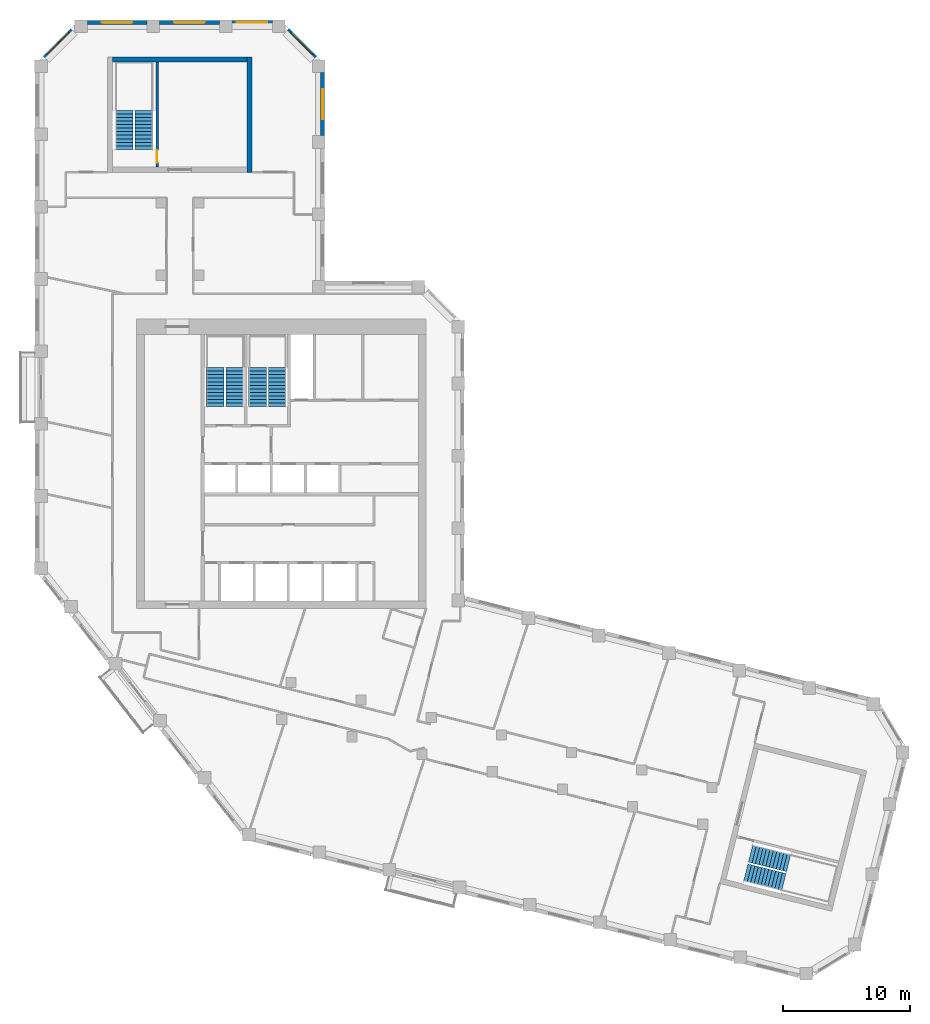
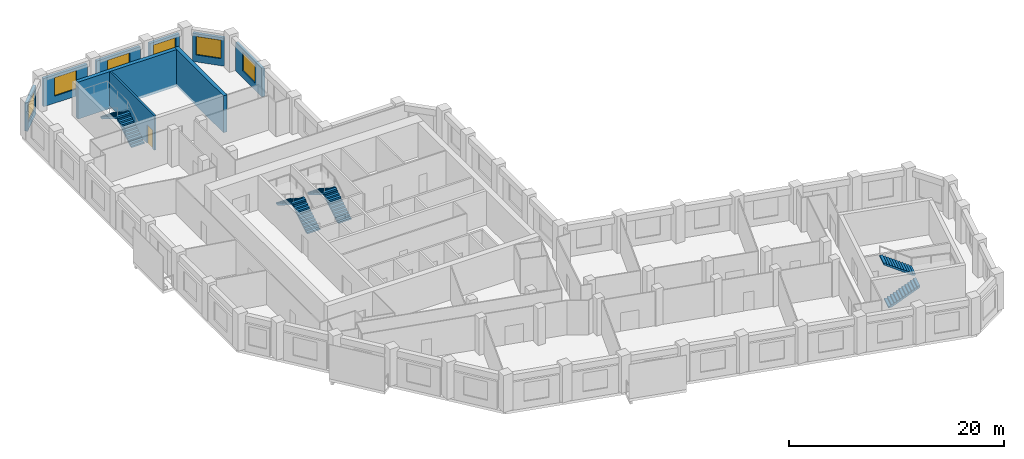
# One storey, part 8 of 9: 9 walls, 8 stair flights, 6 windows, 1 door, 7 openings, 4 elements without a shape of their own.
"""IFC4 building model written with IfcOpenShell, lengths in metres."""

from ifc_helpers import new_model, si_unit, direction, frame, frame_2d, origin, place, context, subcontext, project, spatial, polyline, rectangle, outline, extrude, material, layer, layer_set, type_object, element, fill, aggregate, save


model = new_model("IFC4")

# Units and contexts
model_context = context("Model", 3, precision=1e-05, world=origin(), true_north=direction((0.0, 1.0)))
body_context = subcontext(model_context, "Body", "Model", "MODEL_VIEW")
ifc_project = project(units=[si_unit("LENGTHUNIT", "METRE"), si_unit("AREAUNIT", "SQUARE_METRE"), si_unit("VOLUMEUNIT", "CUBIC_METRE"), si_unit("PLANEANGLEUNIT", "RADIAN"), si_unit("MASSUNIT", "GRAM", prefix="KILO")], contexts=[model_context])

# Site, building, storey
site_placement = place(None, origin())
site = spatial("IfcSite", under=ifc_project, at=site_placement, CompositionType="ELEMENT")
building_placement = place(site_placement, origin())
building = spatial("IfcBuilding", under=site, at=building_placement, Name="Meshkara Civic Tower", CompositionType="ELEMENT")
storey_placement = place(building_placement, frame((0.0, 0.0, 336.0)))
storey = spatial("IfcBuildingStorey", under=building, at=storey_placement, Name="L77", CompositionType="ELEMENT", Elevation=336.0)

# Wall, opening, window
ifc_material_1 = material(Name="Insulated infill panel with bronze anodised aluminium cladding", Category="aluminium")
ifc_layer_1 = layer(ifc_material_1, 0.300048828125)
ifc_layer_set_1 = layer_set([ifc_layer_1], Name="EXTERNAL INFILL WALL 300")
wall_type_1 = type_object("IfcWallType", Name="EXTERNAL INFILL WALL 300", PredefinedType="SOLIDWALL", material=ifc_layer_set_1)
wall_1_placement = place(storey_placement, frame((22.64990234375, 51.35009765625, 0.0), z_axis=(0.0, 0.0, 1.0), x_axis=(0.0, 1.0, 0.0)))
wall_1 = element("IfcWall", 1, at=wall_1_placement, inside=storey, type_object=wall_type_1, Name="External wall", PredefinedType="SOLIDWALL", context=body_context, shape_type="SweptSolid", body=[
    extrude(rectangle(XDim=4.9638671875, YDim=0.300048828125, at=frame_2d((2.48193359375, 0.0))), origin(), (0.0, 0.0, 1.0), 3.199951171875),
])
opening_1_placement = place(wall_1_placement, frame((1.281982421875, 0.0, 0.800048828125)))
opening_1 = element("IfcOpeningElement", 2, at=opening_1_placement, cuts=wall_1, Name="Opening W7", PredefinedType="OPENING", context=body_context, shape_type="SweptSolid", body=[
    extrude(rectangle(XDim=2.39990234375, YDim=2.10009765625, at=frame_2d((1.199951171875, 1.050048828125))), frame((0.0, 0.159912109375, 0.0), z_axis=(0.0, -1.0, 0.0), x_axis=(1.0, 0.0, 0.0)), (0.0, 0.0, 1.0), 0.320068359375),
])
ifc_material_2 = material(Name="Tinted double glazing", Category="glass")
window_type = type_object("IfcWindowType", Name="WINDOW 2400x2100", PartitioningType="DOUBLE_PANEL_VERTICAL", PredefinedType="WINDOW", material=ifc_material_2)
window_1_placement = place(opening_1_placement, origin())
window_1 = element("IfcWindow", 3, at=window_1_placement, inside=storey, type_object=window_type, Name="Window", OverallHeight=2.10009765625, OverallWidth=2.39990234375, PartitioningType="DOUBLE_PANEL_VERTICAL", PredefinedType="WINDOW", context=body_context, shape_type="SweptSolid", body=[
    extrude(rectangle(XDim=2.39990234375, YDim=2.10009765625, at=frame_2d((1.199951171875, 1.050048828125))), frame((0.0, 0.030029296875, 0.0), z_axis=(0.0, -1.0, 0.0), x_axis=(1.0, 0.0, 0.0)), (0.0, 0.0, 1.0), 0.06005859375),
])
fill(opening_1, window_1)

wall_2_placement = place(storey_placement, frame((22.06201171875, 57.52587890625, 0.0), z_axis=(0.0, 0.0, 1.0), x_axis=(-0.707106781187, 0.707106781187, 0.0)))
wall_2 = element("IfcWall", 4, at=wall_2_placement, inside=storey, type_object=wall_type_1, Name="External wall", PredefinedType="SOLIDWALL", context=body_context, shape_type="SweptSolid", body=[
    extrude(rectangle(XDim=3.049072265625, YDim=0.300048828125, at=frame_2d((1.5244140625, 0.0))), origin(), (0.0, 0.0, 1.0), 3.199951171875),
])
opening_2_placement = place(wall_2_placement, frame((0.324951171875, 0.0, 0.800048828125)))
opening_2 = element("IfcOpeningElement", 5, at=opening_2_placement, cuts=wall_2, Name="Opening W7", PredefinedType="OPENING", context=body_context, shape_type="SweptSolid", body=[
    extrude(rectangle(XDim=2.39990234375, YDim=2.10009765625, at=frame_2d((1.199951171875, 1.050048828125))), frame((0.0, 0.159912109375, 0.0), z_axis=(0.0, -1.0, 0.0), x_axis=(1.0, 0.0, 0.0)), (0.0, 0.0, 1.0), 0.320068359375),
])
window_2_placement = place(opening_2_placement, origin())
window_2 = element("IfcWindow", 6, at=window_2_placement, inside=storey, type_object=window_type, Name="Window", OverallHeight=2.10009765625, OverallWidth=2.39990234375, PartitioningType="DOUBLE_PANEL_VERTICAL", PredefinedType="WINDOW", context=body_context, shape_type="SweptSolid", body=[
    extrude(rectangle(XDim=2.39990234375, YDim=2.10009765625, at=frame_2d((1.199951171875, 1.050048828125))), frame((0.0, 0.030029296875, 0.0), z_axis=(0.0, -1.0, 0.0), x_axis=(1.0, 0.0, 0.0)), (0.0, 0.0, 1.0), 0.06005859375),
])
fill(opening_2, window_2)

wall_3_placement = place(storey_placement, frame((18.694091796875, 60.27001953125, 0.0), z_axis=(0.0, 0.0, 1.0), x_axis=(-1.0, 0.0, 0.0)))
wall_3 = element("IfcWall", 7, at=wall_3_placement, inside=storey, type_object=wall_type_1, Name="External wall", PredefinedType="SOLIDWALL", context=body_context, shape_type="SweptSolid", body=[
    extrude(rectangle(XDim=3.18798828125, YDim=0.300048828125, at=frame_2d((1.593994140625, 0.0))), origin(), (0.0, 0.0, 1.0), 3.199951171875),
])
opening_3_placement = place(wall_3_placement, frame((0.39404296875, 0.0, 0.800048828125)))
opening_3 = element("IfcOpeningElement", 8, at=opening_3_placement, cuts=wall_3, Name="Opening W7", PredefinedType="OPENING", context=body_context, shape_type="SweptSolid", body=[
    extrude(rectangle(XDim=2.39990234375, YDim=2.10009765625, at=frame_2d((1.199951171875, 1.050048828125))), frame((0.0, 0.159912109375, 0.0), z_axis=(0.0, -1.0, 0.0), x_axis=(1.0, 0.0, 0.0)), (0.0, 0.0, 1.0), 0.320068359375),
])
window_3_placement = place(opening_3_placement, origin())
window_3 = element("IfcWindow", 9, at=window_3_placement, inside=storey, type_object=window_type, Name="Window", OverallHeight=2.10009765625, OverallWidth=2.39990234375, PartitioningType="DOUBLE_PANEL_VERTICAL", PredefinedType="WINDOW", context=body_context, shape_type="SweptSolid", body=[
    extrude(rectangle(XDim=2.39990234375, YDim=2.10009765625, at=frame_2d((1.199951171875, 1.050048828125))), frame((0.0, 0.030029296875, 0.0), z_axis=(0.0, -1.0, 0.0), x_axis=(1.0, 0.0, 0.0)), (0.0, 0.0, 1.0), 0.06005859375),
])
fill(opening_3, window_3)

wall_4_placement = place(storey_placement, frame((14.506103515625, 60.27001953125, 0.0), z_axis=(0.0, 0.0, 1.0), x_axis=(-1.0, 0.0, 0.0)))
wall_4 = element("IfcWall", 10, at=wall_4_placement, inside=storey, type_object=wall_type_1, Name="External wall", PredefinedType="SOLIDWALL", context=body_context, shape_type="SweptSolid", body=[
    extrude(rectangle(XDim=4.7001953125, YDim=0.300048828125, at=frame_2d((2.35009765625, 0.0))), origin(), (0.0, 0.0, 1.0), 3.199951171875),
])
opening_4_placement = place(wall_4_placement, frame((1.14990234375, 0.0, 0.800048828125)))
opening_4 = element("IfcOpeningElement", 11, at=opening_4_placement, cuts=wall_4, Name="Opening W7", PredefinedType="OPENING", context=body_context, shape_type="SweptSolid", body=[
    extrude(rectangle(XDim=2.39990234375, YDim=2.10009765625, at=frame_2d((1.199951171875, 1.050048828125))), frame((0.0, 0.159912109375, 0.0), z_axis=(0.0, -1.0, 0.0), x_axis=(1.0, 0.0, 0.0)), (0.0, 0.0, 1.0), 0.320068359375),
])
window_4_placement = place(opening_4_placement, origin())
window_4 = element("IfcWindow", 12, at=window_4_placement, inside=storey, type_object=window_type, Name="Window", OverallHeight=2.10009765625, OverallWidth=2.39990234375, PartitioningType="DOUBLE_PANEL_VERTICAL", PredefinedType="WINDOW", context=body_context, shape_type="SweptSolid", body=[
    extrude(rectangle(XDim=2.39990234375, YDim=2.10009765625, at=frame_2d((1.199951171875, 1.050048828125))), frame((0.0, 0.030029296875, 0.0), z_axis=(0.0, -1.0, 0.0), x_axis=(1.0, 0.0, 0.0)), (0.0, 0.0, 1.0), 0.06005859375),
])
fill(opening_4, window_4)

wall_5_placement = place(storey_placement, frame((8.805908203125, 60.27001953125, 0.0), z_axis=(0.0, 0.0, 1.0), x_axis=(-1.0, 0.0, 0.0)))
wall_5 = element("IfcWall", 13, at=wall_5_placement, inside=storey, type_object=wall_type_1, Name="External wall", PredefinedType="SOLIDWALL", context=body_context, shape_type="SweptSolid", body=[
    extrude(rectangle(XDim=4.699951171875, YDim=0.300048828125, at=frame_2d((2.35009765625, 0.0))), origin(), (0.0, 0.0, 1.0), 3.199951171875),
])
opening_5_placement = place(wall_5_placement, frame((1.14990234375, 0.0, 0.800048828125)))
opening_5 = element("IfcOpeningElement", 14, at=opening_5_placement, cuts=wall_5, Name="Opening W7", PredefinedType="OPENING", context=body_context, shape_type="SweptSolid", body=[
    extrude(rectangle(XDim=2.39990234375, YDim=2.10009765625, at=frame_2d((1.199951171875, 1.050048828125))), frame((0.0, 0.159912109375, 0.0), z_axis=(0.0, -1.0, 0.0), x_axis=(1.0, 0.0, 0.0)), (0.0, 0.0, 1.0), 0.320068359375),
])
window_5_placement = place(opening_5_placement, origin())
window_5 = element("IfcWindow", 15, at=window_5_placement, inside=storey, type_object=window_type, Name="Window", OverallHeight=2.10009765625, OverallWidth=2.39990234375, PartitioningType="DOUBLE_PANEL_VERTICAL", PredefinedType="WINDOW", context=body_context, shape_type="SweptSolid", body=[
    extrude(rectangle(XDim=2.39990234375, YDim=2.10009765625, at=frame_2d((1.199951171875, 1.050048828125))), frame((0.0, 0.030029296875, 0.0), z_axis=(0.0, -1.0, 0.0), x_axis=(1.0, 0.0, 0.0)), (0.0, 0.0, 1.0), 0.06005859375),
])
fill(opening_5, window_5)

wall_6_placement = place(storey_placement, frame((2.89404296875, 59.681884765625, 0.0), z_axis=(0.0, 0.0, 1.0), x_axis=(-0.707106781187, -0.707106781187, 0.0)))
wall_6 = element("IfcWall", 16, at=wall_6_placement, inside=storey, type_object=wall_type_1, Name="External wall", PredefinedType="SOLIDWALL", context=body_context, shape_type="SweptSolid", body=[
    extrude(rectangle(XDim=3.049072265625, YDim=0.300048828125, at=frame_2d((1.5244140625, 0.0))), origin(), (0.0, 0.0, 1.0), 3.199951171875),
])
opening_6_placement = place(wall_6_placement, frame((0.324951171875, 0.0, 0.800048828125)))
opening_6 = element("IfcOpeningElement", 17, at=opening_6_placement, cuts=wall_6, Name="Opening W7", PredefinedType="OPENING", context=body_context, shape_type="SweptSolid", body=[
    extrude(rectangle(XDim=2.39990234375, YDim=2.10009765625, at=frame_2d((1.199951171875, 1.050048828125))), frame((0.0, 0.159912109375, 0.0), z_axis=(0.0, -1.0, 0.0), x_axis=(1.0, 0.0, 0.0)), (0.0, 0.0, 1.0), 0.320068359375),
])
window_6_placement = place(opening_6_placement, origin())
window_6 = element("IfcWindow", 18, at=window_6_placement, inside=storey, type_object=window_type, Name="Window", OverallHeight=2.10009765625, OverallWidth=2.39990234375, PartitioningType="DOUBLE_PANEL_VERTICAL", PredefinedType="WINDOW", context=body_context, shape_type="SweptSolid", body=[
    extrude(rectangle(XDim=2.39990234375, YDim=2.10009765625, at=frame_2d((1.199951171875, 1.050048828125))), frame((0.0, 0.030029296875, 0.0), z_axis=(0.0, -1.0, 0.0), x_axis=(1.0, 0.0, 0.0)), (0.0, 0.0, 1.0), 0.06005859375),
])
fill(opening_6, window_6)

# Walls
ifc_material_3 = material(Name="Concrete C60", Category="concrete")
ifc_layer_2 = layer(ifc_material_3, 0.39990234375)
ifc_layer_set_2 = layer_set([ifc_layer_2], Name="End core ring wall 400 C60")
wall_type_2 = type_object("IfcWallType", Name="End core ring wall 400 C60", PredefinedType="SHEAR", material=ifc_layer_set_2)
wall_7_placement = place(storey_placement, frame((16.89990234375, 48.469970703125, -0.300048828125), z_axis=(0.0, 0.0, 1.0), x_axis=(0.0, 1.0, 0.0)))
element("IfcWall", 19, at=wall_7_placement, inside=storey, type_object=wall_type_2, Name="L77-C028", PredefinedType="SHEAR", context=body_context, shape_type="SweptSolid", body=[
    extrude(rectangle(XDim=9.10009765625, YDim=0.39990234375, at=frame_2d((4.550048828125, 0.0))), origin(), (0.0, 0.0, 1.0), 4.199951171875),
])
wall_8_placement = place(storey_placement, frame((6.10009765625, 57.3701171875, -0.300048828125), z_axis=(0.0, 0.0, 1.0), x_axis=(1.0, 0.0, 0.0)))
element("IfcWall", 20, at=wall_8_placement, inside=storey, type_object=wall_type_2, Name="L77-C030", PredefinedType="SHEAR", context=body_context, shape_type="SweptSolid", body=[
    extrude(rectangle(XDim=10.599853515625, YDim=0.39990234375, at=frame_2d((5.2998046875, 0.0))), origin(), (0.0, 0.0, 1.0), 4.199951171875),
])

# Wall, opening, door
ifc_material_4 = material(Name="Concrete C40/50", Category="concrete")
ifc_layer_3 = layer(ifc_material_4, 0.199951171875)
ifc_layer_set_3 = layer_set([ifc_layer_3], Name="Stair enclosure wall 200 C40/50")
wall_type_3 = type_object("IfcWallType", Name="Stair enclosure wall 200 C40/50", PredefinedType="SOLIDWALL", material=ifc_layer_set_3)
wall_9_placement = place(storey_placement, frame((9.60009765625, 48.8701171875, 0.0), z_axis=(0.0, 0.0, 1.0), x_axis=(0.0, 1.0, 0.0)))
wall_9 = element("IfcWall", 21, at=wall_9_placement, inside=storey, type_object=wall_type_3, Name="L77-C031", PredefinedType="SOLIDWALL", context=body_context, shape_type="SweptSolid", body=[
    extrude(rectangle(XDim=8.2998046875, YDim=0.199951171875, at=frame_2d((4.14990234375, 0.0))), origin(), (0.0, 0.0, 1.0), 3.89990234375),
])
opening_7_placement = place(wall_9_placement, frame((0.35009765625, 0.0, 0.0)))
opening_7 = element("IfcOpeningElement", 22, at=opening_7_placement, cuts=wall_9, Name="Opening L77-K101", PredefinedType="OPENING", context=body_context, shape_type="SweptSolid", body=[
    extrude(rectangle(XDim=1.0, YDim=2.10009765625, at=frame_2d((0.5, 1.050048828125))), frame((0.0, 0.10986328125, 0.0), z_axis=(0.0, -1.0, 0.0), x_axis=(1.0, 0.0, 0.0)), (0.0, 0.0, 1.0), 0.219970703125),
])
ifc_material_5 = material(Name="Fire-rated door leaf in steel frame", Category="steel")
door_type = type_object("IfcDoorType", Name="Stair door 1000 EI 120", OperationType="SINGLE_SWING_LEFT", PredefinedType="DOOR", material=ifc_material_5)
door_placement = place(opening_7_placement, origin())
door = element("IfcDoor", 23, at=door_placement, inside=storey, type_object=door_type, Name="L77-K101", OperationType="SINGLE_SWING_RIGHT", OverallHeight=2.10009765625, OverallWidth=1.0, PredefinedType="DOOR", context=body_context, shape_type="SweptSolid", body=[
    extrude(rectangle(XDim=1.0, YDim=2.10009765625, at=frame_2d((0.5, 1.050048828125))), frame((0.0, 0.02490234375, 0.0), z_axis=(0.0, -1.0, 0.0), x_axis=(1.0, 0.0, 0.0)), (0.0, 0.0, 1.0), 0.050048828125),
])
fill(opening_7, door)

# Stair, stair flights
ifc_material_6 = material(Name="Precast concrete C40/50", Category="concrete")
stair_type = type_object("IfcStairType", Name="Exit stair half-turn 24 risers precast", PredefinedType="HALF_TURN_STAIR", material=ifc_material_6)
stair_1_placement = place(storey_placement, origin())
stair_1 = element("IfcStair", 24, at=stair_1_placement, inside=storey, type_object=stair_type, Name="L77 exit stair 1", PredefinedType="HALF_TURN_STAIR")
ifc_material_7 = material(Name="Precast concrete C40/50", Category="concrete")
stair_flight_type = type_object("IfcStairFlightType", Name="Exit stair flight 12 risers precast", PredefinedType="STRAIGHT", material=ifc_material_7)
stair_flight_1_placement = place(storey_placement, frame((15.72509765625, 30.0, 0.0), z_axis=(0.0, 0.0, 1.0), x_axis=(0.0, 1.0, 0.0)))
stair_flight_1 = element("IfcStairFlight", 25, at=stair_flight_1_placement, type_object=stair_flight_type, Name="ST1 flight 1", NumberOfRisers=12, NumberOfTreads=11, PredefinedType="STRAIGHT", RiserHeight=0.175, TreadLength=0.28, context=body_context, shape_type="SweptSolid", body=[
    extrude(outline(polyline([(0.0, 0.0), (0.0, 0.175048828125), (0.280029296875, 0.175048828125), (0.280029296875, 0.35009765625), (0.56005859375, 0.35009765625), (0.56005859375, 0.52490234375), (0.840087890625, 0.52490234375), (0.840087890625, 0.699951171875), (1.1201171875, 0.699951171875), (1.1201171875, 0.875), (1.39990234375, 0.875), (1.39990234375, 1.050048828125), (1.679931640625, 1.050048828125), (1.679931640625, 1.22509765625), (1.9599609375, 1.22509765625), (1.9599609375, 1.39990234375), (2.239990234375, 1.39990234375), (2.239990234375, 1.574951171875), (2.52001953125, 1.574951171875), (2.52001953125, 1.75), (2.800048828125, 1.75), (2.800048828125, 1.925048828125), (3.080078125, 1.925048828125), (3.080078125, 2.10009765625), (3.080078125, 1.748291015625), (0.28271484375, 0.0), (0.0, 0.0)])), frame((0.0, 0.699951171875, 0.0), z_axis=(0.0, -1.0, 0.0), x_axis=(1.0, 0.0, 0.0)), (0.0, 0.0, 1.0), 1.39990234375),
])
stair_flight_2_placement = place(storey_placement, frame((14.175048828125, 33.080078125, 2.10009765625), z_axis=(0.0, 0.0, 1.0), x_axis=(0.0, -1.0, 0.0)))
stair_flight_2 = element("IfcStairFlight", 26, at=stair_flight_2_placement, type_object=stair_flight_type, Name="ST1 flight 2", NumberOfRisers=12, NumberOfTreads=11, PredefinedType="STRAIGHT", RiserHeight=0.175, TreadLength=0.28, context=body_context, shape_type="SweptSolid", body=[
    extrude(outline(polyline([(0.0, 0.0), (0.0, 0.175048828125), (0.280029296875, 0.175048828125), (0.280029296875, 0.35009765625), (0.56005859375, 0.35009765625), (0.56005859375, 0.52490234375), (0.840087890625, 0.52490234375), (0.840087890625, 0.699951171875), (1.1201171875, 0.699951171875), (1.1201171875, 0.875), (1.39990234375, 0.875), (1.39990234375, 1.050048828125), (1.679931640625, 1.050048828125), (1.679931640625, 1.22509765625), (1.9599609375, 1.22509765625), (1.9599609375, 1.39990234375), (2.239990234375, 1.39990234375), (2.239990234375, 1.574951171875), (2.52001953125, 1.574951171875), (2.52001953125, 1.75), (2.800048828125, 1.75), (2.800048828125, 1.925048828125), (3.080078125, 1.925048828125), (3.080078125, 2.10009765625), (3.080078125, 1.748291015625), (0.28271484375, 0.0), (0.0, 0.0)])), frame((0.0, 0.699951171875, 0.0), z_axis=(0.0, -1.0, 0.0), x_axis=(1.0, 0.0, 0.0)), (0.0, 0.0, 1.0), 1.39990234375),
])
aggregate(stair_1, [stair_flight_1, stair_flight_2])

stair_2_placement = place(storey_placement, origin())
stair_2 = element("IfcStair", 27, at=stair_2_placement, inside=storey, type_object=stair_type, Name="L77 exit stair 2", PredefinedType="HALF_TURN_STAIR")
stair_flight_3_placement = place(storey_placement, frame((19.074951171875, 30.0, 0.0), z_axis=(0.0, 0.0, 1.0), x_axis=(0.0, 1.0, 0.0)))
stair_flight_3 = element("IfcStairFlight", 28, at=stair_flight_3_placement, type_object=stair_flight_type, Name="ST2 flight 1", NumberOfRisers=12, NumberOfTreads=11, PredefinedType="STRAIGHT", RiserHeight=0.175, TreadLength=0.28, context=body_context, shape_type="SweptSolid", body=[
    extrude(outline(polyline([(0.0, 0.0), (0.0, 0.175048828125), (0.280029296875, 0.175048828125), (0.280029296875, 0.35009765625), (0.56005859375, 0.35009765625), (0.56005859375, 0.52490234375), (0.840087890625, 0.52490234375), (0.840087890625, 0.699951171875), (1.1201171875, 0.699951171875), (1.1201171875, 0.875), (1.39990234375, 0.875), (1.39990234375, 1.050048828125), (1.679931640625, 1.050048828125), (1.679931640625, 1.22509765625), (1.9599609375, 1.22509765625), (1.9599609375, 1.39990234375), (2.239990234375, 1.39990234375), (2.239990234375, 1.574951171875), (2.52001953125, 1.574951171875), (2.52001953125, 1.75), (2.800048828125, 1.75), (2.800048828125, 1.925048828125), (3.080078125, 1.925048828125), (3.080078125, 2.10009765625), (3.080078125, 1.748291015625), (0.28271484375, 0.0), (0.0, 0.0)])), frame((0.0, 0.699951171875, 0.0), z_axis=(0.0, -1.0, 0.0), x_axis=(1.0, 0.0, 0.0)), (0.0, 0.0, 1.0), 1.39990234375),
])
stair_flight_4_placement = place(storey_placement, frame((17.52490234375, 33.080078125, 2.10009765625), z_axis=(0.0, 0.0, 1.0), x_axis=(0.0, -1.0, 0.0)))
stair_flight_4 = element("IfcStairFlight", 29, at=stair_flight_4_placement, type_object=stair_flight_type, Name="ST2 flight 2", NumberOfRisers=12, NumberOfTreads=11, PredefinedType="STRAIGHT", RiserHeight=0.175, TreadLength=0.28, context=body_context, shape_type="SweptSolid", body=[
    extrude(outline(polyline([(0.0, 0.0), (0.0, 0.175048828125), (0.280029296875, 0.175048828125), (0.280029296875, 0.35009765625), (0.56005859375, 0.35009765625), (0.56005859375, 0.52490234375), (0.840087890625, 0.52490234375), (0.840087890625, 0.699951171875), (1.1201171875, 0.699951171875), (1.1201171875, 0.875), (1.39990234375, 0.875), (1.39990234375, 1.050048828125), (1.679931640625, 1.050048828125), (1.679931640625, 1.22509765625), (1.9599609375, 1.22509765625), (1.9599609375, 1.39990234375), (2.239990234375, 1.39990234375), (2.239990234375, 1.574951171875), (2.52001953125, 1.574951171875), (2.52001953125, 1.75), (2.800048828125, 1.75), (2.800048828125, 1.925048828125), (3.080078125, 1.925048828125), (3.080078125, 2.10009765625), (3.080078125, 1.748291015625), (0.28271484375, 0.0), (0.0, 0.0)])), frame((0.0, 0.699951171875, 0.0), z_axis=(0.0, -1.0, 0.0), x_axis=(1.0, 0.0, 0.0)), (0.0, 0.0, 1.0), 1.39990234375),
])
aggregate(stair_2, [stair_flight_3, stair_flight_4])

stair_3_placement = place(storey_placement, origin())
stair_3 = element("IfcStair", 30, at=stair_3_placement, inside=storey, type_object=stair_type, Name="L77 exit stair A from L65", PredefinedType="HALF_TURN_STAIR")
stair_flight_5_placement = place(storey_placement, frame((8.574951171875, 50.27001953125, 0.0), z_axis=(0.0, 0.0, 1.0), x_axis=(0.0, 1.0, 0.0)))
stair_flight_5 = element("IfcStairFlight", 31, at=stair_flight_5_placement, type_object=stair_flight_type, Name="ESA5 flight 1", NumberOfRisers=12, NumberOfTreads=11, PredefinedType="STRAIGHT", RiserHeight=0.175, TreadLength=0.28, context=body_context, shape_type="SweptSolid", body=[
    extrude(outline(polyline([(0.0, 0.0), (0.0, 0.175048828125), (0.280029296875, 0.175048828125), (0.280029296875, 0.35009765625), (0.56005859375, 0.35009765625), (0.56005859375, 0.52490234375), (0.840087890625, 0.52490234375), (0.840087890625, 0.699951171875), (1.1201171875, 0.699951171875), (1.1201171875, 0.875), (1.39990234375, 0.875), (1.39990234375, 1.050048828125), (1.679931640625, 1.050048828125), (1.679931640625, 1.22509765625), (1.9599609375, 1.22509765625), (1.9599609375, 1.39990234375), (2.239990234375, 1.39990234375), (2.239990234375, 1.574951171875), (2.52001953125, 1.574951171875), (2.52001953125, 1.75), (2.800048828125, 1.75), (2.800048828125, 1.925048828125), (3.080078125, 1.925048828125), (3.080078125, 2.10009765625), (3.080078125, 1.748291015625), (0.28271484375, 0.0), (0.0, 0.0)])), frame((0.0, 0.699951171875, 0.0), z_axis=(0.0, -1.0, 0.0), x_axis=(1.0, 0.0, 0.0)), (0.0, 0.0, 1.0), 1.39990234375),
])
stair_flight_6_placement = place(storey_placement, frame((7.02490234375, 53.35009765625, 2.10009765625), z_axis=(0.0, 0.0, 1.0), x_axis=(0.0, -1.0, 0.0)))
stair_flight_6 = element("IfcStairFlight", 32, at=stair_flight_6_placement, type_object=stair_flight_type, Name="ESA5 flight 2", NumberOfRisers=12, NumberOfTreads=11, PredefinedType="STRAIGHT", RiserHeight=0.175, TreadLength=0.28, context=body_context, shape_type="SweptSolid", body=[
    extrude(outline(polyline([(0.0, 0.0), (0.0, 0.175048828125), (0.280029296875, 0.175048828125), (0.280029296875, 0.35009765625), (0.56005859375, 0.35009765625), (0.56005859375, 0.52490234375), (0.840087890625, 0.52490234375), (0.840087890625, 0.699951171875), (1.1201171875, 0.699951171875), (1.1201171875, 0.875), (1.39990234375, 0.875), (1.39990234375, 1.050048828125), (1.679931640625, 1.050048828125), (1.679931640625, 1.22509765625), (1.9599609375, 1.22509765625), (1.9599609375, 1.39990234375), (2.239990234375, 1.39990234375), (2.239990234375, 1.574951171875), (2.52001953125, 1.574951171875), (2.52001953125, 1.75), (2.800048828125, 1.75), (2.800048828125, 1.925048828125), (3.080078125, 1.925048828125), (3.080078125, 2.10009765625), (3.080078125, 1.748291015625), (0.28271484375, 0.0), (0.0, 0.0)])), frame((0.0, 0.699951171875, 0.0), z_axis=(0.0, -1.0, 0.0), x_axis=(1.0, 0.0, 0.0)), (0.0, 0.0, 1.0), 1.39990234375),
])
aggregate(stair_3, [stair_flight_5, stair_flight_6])

stair_4_placement = place(storey_placement, origin())
stair_4 = element("IfcStair", 33, at=stair_4_placement, inside=storey, type_object=stair_type, Name="L77 exit stair B from L65", PredefinedType="HALF_TURN_STAIR")
stair_flight_7_placement = place(storey_placement, frame((56.0068359375, -6.723876953125, 0.0), z_axis=(0.0, 0.0, 1.0), x_axis=(0.970260066579, -0.242064873955, 0.0)))
stair_flight_7 = element("IfcStairFlight", 34, at=stair_flight_7_placement, type_object=stair_flight_type, Name="ESB5 flight 1", NumberOfRisers=12, NumberOfTreads=11, PredefinedType="STRAIGHT", RiserHeight=0.175, TreadLength=0.28, context=body_context, shape_type="SweptSolid", body=[
    extrude(outline(polyline([(0.0, 0.0), (0.0, 0.175048828125), (0.280029296875, 0.175048828125), (0.280029296875, 0.35009765625), (0.56005859375, 0.35009765625), (0.56005859375, 0.52490234375), (0.840087890625, 0.52490234375), (0.840087890625, 0.699951171875), (1.1201171875, 0.699951171875), (1.1201171875, 0.875), (1.39990234375, 0.875), (1.39990234375, 1.050048828125), (1.679931640625, 1.050048828125), (1.679931640625, 1.22509765625), (1.9599609375, 1.22509765625), (1.9599609375, 1.39990234375), (2.239990234375, 1.39990234375), (2.239990234375, 1.574951171875), (2.52001953125, 1.574951171875), (2.52001953125, 1.75), (2.800048828125, 1.75), (2.800048828125, 1.925048828125), (3.080078125, 1.925048828125), (3.080078125, 2.10009765625), (3.080078125, 1.748291015625), (0.28271484375, 0.0), (0.0, 0.0)])), frame((0.0, 0.699951171875, 0.0), z_axis=(0.0, -1.0, 0.0), x_axis=(1.0, 0.0, 0.0)), (0.0, 0.0, 1.0), 1.39990234375),
])
stair_flight_8_placement = place(storey_placement, frame((59.370361328125, -5.965576171875, 2.10009765625), z_axis=(0.0, 0.0, 1.0), x_axis=(-0.970260066579, 0.242064873955, 0.0)))
stair_flight_8 = element("IfcStairFlight", 35, at=stair_flight_8_placement, type_object=stair_flight_type, Name="ESB5 flight 2", NumberOfRisers=12, NumberOfTreads=11, PredefinedType="STRAIGHT", RiserHeight=0.175, TreadLength=0.28, context=body_context, shape_type="SweptSolid", body=[
    extrude(outline(polyline([(0.0, 0.0), (0.0, 0.175048828125), (0.280029296875, 0.175048828125), (0.280029296875, 0.35009765625), (0.56005859375, 0.35009765625), (0.56005859375, 0.52490234375), (0.840087890625, 0.52490234375), (0.840087890625, 0.699951171875), (1.1201171875, 0.699951171875), (1.1201171875, 0.875), (1.39990234375, 0.875), (1.39990234375, 1.050048828125), (1.679931640625, 1.050048828125), (1.679931640625, 1.22509765625), (1.9599609375, 1.22509765625), (1.9599609375, 1.39990234375), (2.239990234375, 1.39990234375), (2.239990234375, 1.574951171875), (2.52001953125, 1.574951171875), (2.52001953125, 1.75), (2.800048828125, 1.75), (2.800048828125, 1.925048828125), (3.080078125, 1.925048828125), (3.080078125, 2.10009765625), (3.080078125, 1.748291015625), (0.28271484375, 0.0), (0.0, 0.0)])), frame((0.0, 0.699951171875, 0.0), z_axis=(0.0, -1.0, 0.0), x_axis=(1.0, 0.0, 0.0)), (0.0, 0.0, 1.0), 1.39990234375),
])
aggregate(stair_4, [stair_flight_7, stair_flight_8])

save(model, "model.ifc")
